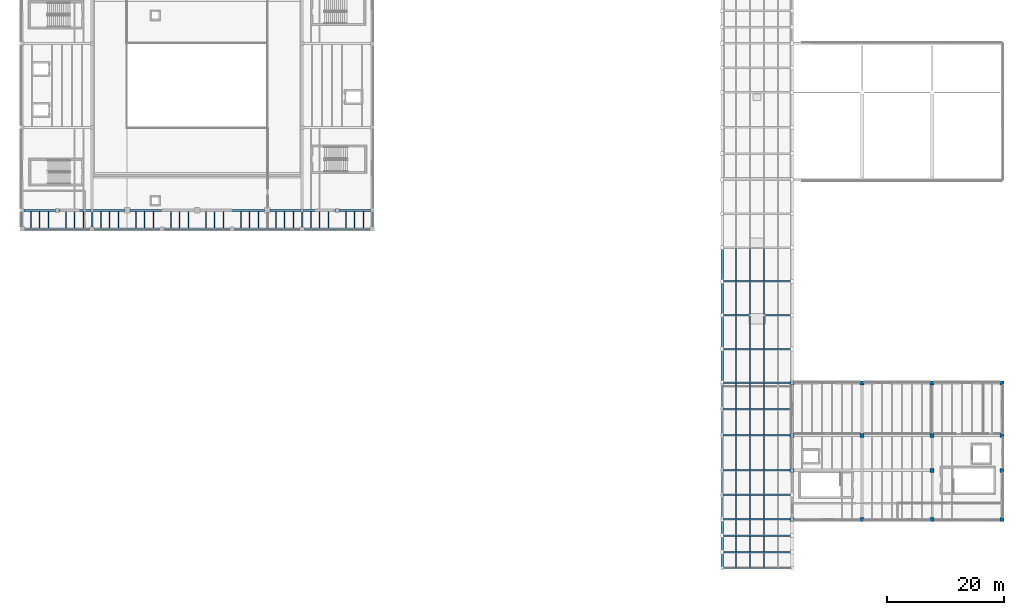
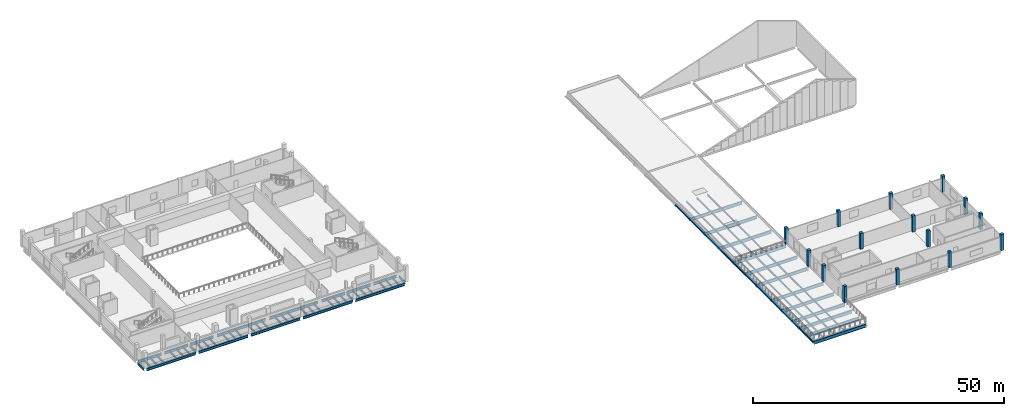
# One storey, part 2 of 19: 107 beams, 15 columns.
"""IFC4 building model written with IfcOpenShell, lengths in metres."""

from ifc_helpers import new_model, si_unit, direction, frame, origin, origin_2d, place, context, subcontext, project, spatial, rectangle, i_section, extrude, material, material_profile, profile_set, type_object, element, save


model = new_model("IFC4")

# Units and contexts
model_context = context("Model", 3, precision=1e-05, world=origin(), true_north=direction((0.0, 1.0)))
body_context = subcontext(model_context, "Body", "Model", "MODEL_VIEW")
ifc_project = project(units=[si_unit("LENGTHUNIT", "METRE"), si_unit("AREAUNIT", "SQUARE_METRE"), si_unit("VOLUMEUNIT", "CUBIC_METRE"), si_unit("PLANEANGLEUNIT", "RADIAN"), si_unit("MASSUNIT", "GRAM", prefix="KILO")], contexts=[model_context])

# Site, building, storey
site_placement = place(None, origin())
site = spatial("IfcSite", under=ifc_project, at=site_placement, CompositionType="ELEMENT")
building_placement = place(site_placement, origin())
building = spatial("IfcBuilding", under=site, at=building_placement, Name="Kelmvaro Bay Concert Hall", CompositionType="ELEMENT")
storey_placement = place(building_placement, frame((0.0, 0.0, 18.300048828125)))
storey = spatial("IfcBuildingStorey", under=building, at=storey_placement, Name="L04", CompositionType="ELEMENT", Elevation=18.300048828125)

# Columns
ifc_material_1 = material(Name="Concrete C40/50", Category="concrete")
ifc_material_profile_1 = material_profile(ifc_material_1, rectangle(XDim=0.64990234375, YDim=0.64990234375, at=origin_2d()), Name="RC-COL-650X650")
ifc_profile_set_1 = profile_set([ifc_material_profile_1], Name="Concrete C40/50")
column_type = type_object("IfcColumnType", Name="Upper Column RC650x650", PredefinedType="COLUMN", material=ifc_profile_set_1)
for number, where, z_axis, x_axis, name in (
    (1, (132.0, 15.60009765625, 0.0), (0.0, 0.0, 1.0), (1.0, 0.0, 0.0), "L04 Column V4W-132-156"),
    (2, (132.0, 24.0, 0.0), (0.0, 0.0, 1.0), (1.0, 0.0, 0.0), "L04 Column V4W-132-240"),
    (3, (132.0, 30.0, 0.0), (0.0, 0.0, 1.0), (1.0, 0.0, 0.0), "L04 Column V4W-132-300"),
    (4, (132.0, 39.0, 0.0), (0.0, 0.0, 1.0), (1.0, 0.0, 0.0), "L04 Column V4W-132-390"),
    (5, (144.0, 15.60009765625, 0.0), (0.0, 0.0, 1.0), (1.0, 0.0, 0.0), "L04 Column V4P-144-156"),
    (6, (144.0, 30.0, 0.0), (0.0, 0.0, 1.0), (1.0, 0.0, 0.0), "L04 Column V4P-144-300"),
    (7, (144.0, 39.0, 0.0), (0.0, 0.0, 1.0), (1.0, 0.0, 0.0), "L04 Column V4P-144-390"),
    (8, (156.0, 15.60009765625, 0.0), (0.0, 0.0, 1.0), (1.0, 0.0, 0.0), "L04 Column V4P-156-156"),
    (9, (156.0, 24.0, 0.0), (0.0, 0.0, 1.0), (1.0, 0.0, 0.0), "L04 Column V4P-156-240"),
    (10, (156.0, 30.0, 0.0), (0.0, 0.0, 1.0), (1.0, 0.0, 0.0), "L04 Column V4P-156-300"),
    (11, (156.0, 39.0, 0.0), (0.0, 0.0, 1.0), (1.0, 0.0, 0.0), "L04 Column V4P-156-390"),
    (12, (168.0, 15.60009765625, 0.0), (0.0, 0.0, 1.0), (1.0, 0.0, 0.0), "L04 Column V4P-168-156"),
    (13, (168.0, 24.0, 0.0), (0.0, 0.0, 1.0), (1.0, 0.0, 0.0), "L04 Column V4P-168-240"),
    (14, (168.0, 30.0, 0.0), (0.0, 0.0, 1.0), (1.0, 0.0, 0.0), "L04 Column V4P-168-300"),
    (15, (168.0, 39.0, 0.0), (0.0, 0.0, 1.0), (1.0, 0.0, 0.0), "L04 Column V4P-168-390"),
):
    element("IfcColumn", number, at=place(storey_placement, frame(where, z_axis=z_axis, x_axis=x_axis)), inside=storey, type_object=column_type, Name=name, PredefinedType="COLUMN", context=body_context, shape_type="SweptSolid", body=[
        extrude(rectangle(XDim=0.64990234375, YDim=0.64990234375, at=origin_2d()), origin(), (0.0, 0.0, 1.0), 3.89990234375),
    ])

# Beams
ifc_material_2 = material(Name="Steel ASTM A992 Grade 50", Category="steel")
ifc_material_profile_2 = material_profile(ifc_material_2, i_section(OverallWidth=0.40087890625, OverallDepth=0.39404296875, WebThickness=0.022705078125, FlangeThickness=0.03662109375, at=origin_2d()), Name="W14X193")
ifc_profile_set_2 = profile_set([ifc_material_profile_2], Name="Steel ASTM A992 Grade 50")
beam_type_1 = type_object("IfcBeamType", Name="Bridge Cantilever Chord W14x193", PredefinedType="BEAM", material=ifc_profile_set_2)
for number, where, z_axis, x_axis, name in (
    (16, (120.0, 7.199951171875, -0.47705078125), (0.0, 1.0, 0.0), (-1.0, 0.0, 0.0), "Bridge Truss W Top Chord 01"),
    (17, (120.0, 10.0, -0.47705078125), (0.0, 1.0, 0.0), (-1.0, 0.0, 0.0), "Bridge Truss W Top Chord 02"),
    (18, (120.0, 12.800048828125, -0.47705078125), (0.0, 1.0, 0.0), (-1.0, 0.0, 0.0), "Bridge Truss W Top Chord 03"),
):
    element("IfcBeam", number, at=place(storey_placement, frame(where, z_axis=z_axis, x_axis=x_axis)), inside=storey, type_object=beam_type_1, Name=name, PredefinedType="BEAM", context=body_context, shape_type="SweptSolid", body=[
        extrude(i_section(OverallWidth=0.40087890625, OverallDepth=0.39404296875, WebThickness=0.022705078125, FlangeThickness=0.03662109375, at=origin_2d()), origin(), (0.0, 0.0, 1.0), 2.800048828125),
    ])
ifc_material_3 = material(Name="Steel ASTM A992 Grade 50", Category="steel")
ifc_material_profile_3 = material_profile(ifc_material_3, i_section(OverallWidth=0.177978515625, OverallDepth=0.406005859375, WebThickness=0.0078125, FlangeThickness=0.0126953125, at=origin_2d()), Name="W16X40")
ifc_profile_set_3 = profile_set([ifc_material_profile_3], Name="Steel ASTM A992 Grade 50")
beam_type_2 = type_object("IfcBeamType", Name="Bridge Deck Floor Joist W16x40", PredefinedType="JOIST", material=ifc_profile_set_3)
for number, where, z_axis, x_axis, name in (
    (19, (122.39990234375, 7.33349609375, -0.483154296875), (0.0, 1.0, 0.0), (-1.0, 0.0, 0.0), "Bridge Deck Joist L04-01"),
    (20, (124.800048828125, 7.33349609375, -0.483154296875), (0.0, 1.0, 0.0), (-1.0, 0.0, 0.0), "Bridge Deck Joist L04-01"),
    (21, (127.199951171875, 7.33349609375, -0.483154296875), (0.0, 1.0, 0.0), (-1.0, 0.0, 0.0), "Bridge Deck Joist L04-01"),
    (22, (122.39990234375, 10.133544921875, -0.483154296875), (0.0, 1.0, 0.0), (-1.0, 0.0, 0.0), "Bridge Deck Joist L04-02"),
    (23, (124.800048828125, 10.133544921875, -0.483154296875), (0.0, 1.0, 0.0), (-1.0, 0.0, 0.0), "Bridge Deck Joist L04-02"),
    (24, (127.199951171875, 10.133544921875, -0.483154296875), (0.0, 1.0, 0.0), (-1.0, 0.0, 0.0), "Bridge Deck Joist L04-02"),
    (25, (122.39990234375, 12.93359375, -0.483154296875), (0.0, 1.0, 0.0), (-1.0, 0.0, 0.0), "Bridge Deck Joist L04-03"),
    (26, (124.800048828125, 12.93359375, -0.483154296875), (0.0, 1.0, 0.0), (-1.0, 0.0, 0.0), "Bridge Deck Joist L04-03"),
    (27, (127.199951171875, 12.93359375, -0.483154296875), (0.0, 1.0, 0.0), (-1.0, 0.0, 0.0), "Bridge Deck Joist L04-03"),
):
    element("IfcBeam", number, at=place(storey_placement, frame(where, z_axis=z_axis, x_axis=x_axis)), inside=storey, type_object=beam_type_2, Name=name, PredefinedType="JOIST", context=body_context, shape_type="SweptSolid", body=[
        extrude(i_section(OverallWidth=0.177978515625, OverallDepth=0.406005859375, WebThickness=0.0078125, FlangeThickness=0.0126953125, at=origin_2d()), origin(), (0.0, 0.0, 1.0), 2.532958984375),
    ])
for number, where, z_axis, x_axis, name in (
    (28, (122.39990234375, 15.7333984375, -0.483154296875), (0.0, 1.0, 0.0), (-1.0, 0.0, 0.0), "Bridge Deck Joist L04-04"),
    (29, (124.800048828125, 15.7333984375, -0.483154296875), (0.0, 1.0, 0.0), (-1.0, 0.0, 0.0), "Bridge Deck Joist L04-04"),
    (30, (127.199951171875, 15.7333984375, -0.483154296875), (0.0, 1.0, 0.0), (-1.0, 0.0, 0.0), "Bridge Deck Joist L04-04"),
):
    element("IfcBeam", number, at=place(storey_placement, frame(where, z_axis=z_axis, x_axis=x_axis)), inside=storey, type_object=beam_type_2, Name=name, PredefinedType="JOIST", context=body_context, shape_type="SweptSolid", body=[
        extrude(i_section(OverallWidth=0.177978515625, OverallDepth=0.406005859375, WebThickness=0.0078125, FlangeThickness=0.0126953125, at=origin_2d()), origin(), (0.0, 0.0, 1.0), 3.93310546875),
    ])
for number, where, z_axis, x_axis, name in (
    (31, (122.39990234375, 19.93359375, -0.483154296875), (0.0, 1.0, 0.0), (-1.0, 0.0, 0.0), "Bridge Deck Joist L04-05"),
    (32, (124.800048828125, 19.93359375, -0.483154296875), (0.0, 1.0, 0.0), (-1.0, 0.0, 0.0), "Bridge Deck Joist L04-05"),
    (33, (127.199951171875, 19.93359375, -0.483154296875), (0.0, 1.0, 0.0), (-1.0, 0.0, 0.0), "Bridge Deck Joist L04-05"),
):
    element("IfcBeam", number, at=place(storey_placement, frame(where, z_axis=z_axis, x_axis=x_axis)), inside=storey, type_object=beam_type_2, Name=name, PredefinedType="JOIST", context=body_context, shape_type="SweptSolid", body=[
        extrude(i_section(OverallWidth=0.177978515625, OverallDepth=0.406005859375, WebThickness=0.0078125, FlangeThickness=0.0126953125, at=origin_2d()), origin(), (0.0, 0.0, 1.0), 3.932861328125),
    ])
for number, where, z_axis, x_axis, name in (
    (34, (122.39990234375, 24.133544921875, -0.483154296875), (0.0, 1.0, 0.0), (-1.0, 0.0, 0.0), "Bridge Deck Joist L04-06"),
    (35, (124.800048828125, 24.133544921875, -0.483154296875), (0.0, 1.0, 0.0), (-1.0, 0.0, 0.0), "Bridge Deck Joist L04-06"),
    (36, (127.199951171875, 24.133544921875, -0.483154296875), (0.0, 1.0, 0.0), (-1.0, 0.0, 0.0), "Bridge Deck Joist L04-06"),
):
    element("IfcBeam", number, at=place(storey_placement, frame(where, z_axis=z_axis, x_axis=x_axis)), inside=storey, type_object=beam_type_2, Name=name, PredefinedType="JOIST", context=body_context, shape_type="SweptSolid", body=[
        extrude(i_section(OverallWidth=0.177978515625, OverallDepth=0.406005859375, WebThickness=0.0078125, FlangeThickness=0.0126953125, at=origin_2d()), origin(), (0.0, 0.0, 1.0), 5.73291015625),
    ])
for number, where, z_axis, x_axis, name in (
    (37, (122.39990234375, 30.133544921875, -0.483154296875), (0.0, 1.0, 0.0), (-1.0, 0.0, 0.0), "Bridge Deck Joist L04-07"),
    (38, (124.800048828125, 30.133544921875, -0.483154296875), (0.0, 1.0, 0.0), (-1.0, 0.0, 0.0), "Bridge Deck Joist L04-07"),
    (39, (127.199951171875, 30.133544921875, -0.483154296875), (0.0, 1.0, 0.0), (-1.0, 0.0, 0.0), "Bridge Deck Joist L04-07"),
    (40, (122.39990234375, 34.633544921875, -0.483154296875), (0.0, 1.0, 0.0), (-1.0, 0.0, 0.0), "Bridge Deck Joist L04-08"),
    (41, (124.800048828125, 34.633544921875, -0.483154296875), (0.0, 1.0, 0.0), (-1.0, 0.0, 0.0), "Bridge Deck Joist L04-08"),
    (42, (127.199951171875, 34.633544921875, -0.483154296875), (0.0, 1.0, 0.0), (-1.0, 0.0, 0.0), "Bridge Deck Joist L04-08"),
):
    element("IfcBeam", number, at=place(storey_placement, frame(where, z_axis=z_axis, x_axis=x_axis)), inside=storey, type_object=beam_type_2, Name=name, PredefinedType="JOIST", context=body_context, shape_type="SweptSolid", body=[
        extrude(i_section(OverallWidth=0.177978515625, OverallDepth=0.406005859375, WebThickness=0.0078125, FlangeThickness=0.0126953125, at=origin_2d()), origin(), (0.0, 0.0, 1.0), 4.23291015625),
    ])
for number, where, z_axis, x_axis, name in (
    (43, (122.39990234375, 39.133544921875, -0.483154296875), (0.0, 1.0, 0.0), (-1.0, 0.0, 0.0), "Bridge Deck Joist L04-09"),
    (44, (124.800048828125, 39.133544921875, -0.483154296875), (0.0, 1.0, 0.0), (-1.0, 0.0, 0.0), "Bridge Deck Joist L04-09"),
    (45, (127.199951171875, 39.133544921875, -0.483154296875), (0.0, 1.0, 0.0), (-1.0, 0.0, 0.0), "Bridge Deck Joist L04-09"),
    (46, (122.39990234375, 44.93359375, -0.483154296875), (0.0, 1.0, 0.0), (-1.0, 0.0, 0.0), "Bridge Deck Joist L04-10"),
    (47, (124.800048828125, 44.93359375, -0.483154296875), (0.0, 1.0, 0.0), (-1.0, 0.0, 0.0), "Bridge Deck Joist L04-10"),
    (48, (127.199951171875, 44.93359375, -0.483154296875), (0.0, 1.0, 0.0), (-1.0, 0.0, 0.0), "Bridge Deck Joist L04-10"),
):
    element("IfcBeam", number, at=place(storey_placement, frame(where, z_axis=z_axis, x_axis=x_axis)), inside=storey, type_object=beam_type_2, Name=name, PredefinedType="JOIST", context=body_context, shape_type="SweptSolid", body=[
        extrude(i_section(OverallWidth=0.177978515625, OverallDepth=0.406005859375, WebThickness=0.0078125, FlangeThickness=0.0126953125, at=origin_2d()), origin(), (0.0, 0.0, 1.0), 5.532958984375),
    ])
for number, where, z_axis, x_axis, name in (
    (49, (122.39990234375, 50.7333984375, -0.483154296875), (0.0, 1.0, 0.0), (-1.0, 0.0, 0.0), "Bridge Deck Joist L04-11"),
    (50, (124.800048828125, 50.7333984375, -0.483154296875), (0.0, 1.0, 0.0), (-1.0, 0.0, 0.0), "Bridge Deck Joist L04-11"),
    (51, (127.199951171875, 50.7333984375, -0.483154296875), (0.0, 1.0, 0.0), (-1.0, 0.0, 0.0), "Bridge Deck Joist L04-11"),
):
    element("IfcBeam", number, at=place(storey_placement, frame(where, z_axis=z_axis, x_axis=x_axis)), inside=storey, type_object=beam_type_2, Name=name, PredefinedType="JOIST", context=body_context, shape_type="SweptSolid", body=[
        extrude(i_section(OverallWidth=0.177978515625, OverallDepth=0.406005859375, WebThickness=0.0078125, FlangeThickness=0.0126953125, at=origin_2d()), origin(), (0.0, 0.0, 1.0), 5.533203125),
    ])
for number, where, z_axis, x_axis, name in (
    (52, (122.39990234375, 56.533447265625, -0.483154296875), (0.0, 1.0, 0.0), (-1.0, 0.0, 0.0), "Bridge Deck Joist L04-12"),
    (53, (124.800048828125, 56.533447265625, -0.483154296875), (0.0, 1.0, 0.0), (-1.0, 0.0, 0.0), "Bridge Deck Joist L04-12"),
    (54, (127.199951171875, 56.533447265625, -0.483154296875), (0.0, 1.0, 0.0), (-1.0, 0.0, 0.0), "Bridge Deck Joist L04-12"),
):
    element("IfcBeam", number, at=place(storey_placement, frame(where, z_axis=z_axis, x_axis=x_axis)), inside=storey, type_object=beam_type_2, Name=name, PredefinedType="JOIST", context=body_context, shape_type="SweptSolid", body=[
        extrude(i_section(OverallWidth=0.177978515625, OverallDepth=0.406005859375, WebThickness=0.0078125, FlangeThickness=0.0126953125, at=origin_2d()), origin(), (0.0, 0.0, 1.0), 5.532958984375),
    ])
ifc_material_4 = material(Name="Steel ASTM A992 Grade 50", Category="steel")
ifc_material_profile_4 = material_profile(ifc_material_4, i_section(OverallWidth=0.26708984375, OverallDepth=0.761962890625, WebThickness=0.014404296875, FlangeThickness=0.021484375, at=origin_2d()), Name="W30X116")
ifc_profile_set_4 = profile_set([ifc_material_profile_4], Name="Steel ASTM A992 Grade 50")
beam_type_3 = type_object("IfcBeamType", Name="Bridge Transverse Floor Girder W30x116", PredefinedType="BEAM", material=ifc_profile_set_4)
for number, where, z_axis, x_axis, name in (
    (55, (120.0400390625, 7.199951171875, -0.6611328125), (1.0, 0.0, 0.0), (0.0, 1.0, 0.0), "Bridge Transverse Floor Girder L04-01"),
    (56, (120.0400390625, 10.0, -0.6611328125), (1.0, 0.0, 0.0), (0.0, 1.0, 0.0), "Bridge Transverse Floor Girder L04-02"),
    (57, (120.0400390625, 12.800048828125, -0.6611328125), (1.0, 0.0, 0.0), (0.0, 1.0, 0.0), "Bridge Transverse Floor Girder L04-03"),
    (58, (120.0400390625, 15.60009765625, -0.6611328125), (1.0, 0.0, 0.0), (0.0, 1.0, 0.0), "Bridge Transverse Floor Girder L04-04"),
    (59, (120.0400390625, 19.800048828125, -0.6611328125), (1.0, 0.0, 0.0), (0.0, 1.0, 0.0), "Bridge Transverse Floor Girder L04-05"),
    (60, (120.0400390625, 24.0, -0.6611328125), (1.0, 0.0, 0.0), (0.0, 1.0, 0.0), "Bridge Transverse Floor Girder L04-06"),
    (61, (120.0400390625, 30.0, -0.6611328125), (1.0, 0.0, 0.0), (0.0, 1.0, 0.0), "Bridge Transverse Floor Girder L04-07"),
    (62, (120.0400390625, 34.5, -0.6611328125), (1.0, 0.0, 0.0), (0.0, 1.0, 0.0), "Bridge Transverse Floor Girder L04-08"),
    (63, (120.0400390625, 39.0, -0.6611328125), (1.0, 0.0, 0.0), (0.0, 1.0, 0.0), "Bridge Transverse Floor Girder L04-09"),
    (64, (120.0400390625, 44.800048828125, -0.6611328125), (1.0, 0.0, 0.0), (0.0, 1.0, 0.0), "Bridge Transverse Floor Girder L04-10"),
    (65, (120.0400390625, 50.60009765625, -0.6611328125), (1.0, 0.0, 0.0), (0.0, 1.0, 0.0), "Bridge Transverse Floor Girder L04-11"),
    (66, (120.0400390625, 56.39990234375, -0.6611328125), (1.0, 0.0, 0.0), (0.0, 1.0, 0.0), "Bridge Transverse Floor Girder L04-12"),
):
    element("IfcBeam", number, at=place(storey_placement, frame(where, z_axis=z_axis, x_axis=x_axis)), inside=storey, type_object=beam_type_3, Name=name, PredefinedType="BEAM", context=body_context, shape_type="SweptSolid", body=[
        extrude(i_section(OverallWidth=0.26708984375, OverallDepth=0.761962890625, WebThickness=0.014404296875, FlangeThickness=0.021484375, at=origin_2d()), origin(), (0.0, 0.0, 1.0), 11.919921875),
    ])
ifc_material_5 = material(Name="Steel ASTM A992 Grade 50", Category="steel")
ifc_material_profile_5 = material_profile(ifc_material_5, i_section(OverallWidth=0.40087890625, OverallDepth=0.39892578125, WebThickness=0.02490234375, FlangeThickness=0.03955078125, at=origin_2d()), Name="W14X211")
ifc_profile_set_5 = profile_set([ifc_material_profile_5], Name="Steel ASTM A992 Grade 50")
beam_type_4 = type_object("IfcBeamType", Name="Bridge Truss Top Chord W14x211", PredefinedType="BEAM", material=ifc_profile_set_5)
for number, where, z_axis, x_axis, name in (
    (67, (120.0, 15.60009765625, -0.4794921875), (0.0, 1.0, 0.0), (-1.0, 0.0, 0.0), "Bridge Truss W Top Chord 04"),
    (68, (120.0, 19.800048828125, -0.4794921875), (0.0, 1.0, 0.0), (-1.0, 0.0, 0.0), "Bridge Truss W Top Chord 05"),
):
    element("IfcBeam", number, at=place(storey_placement, frame(where, z_axis=z_axis, x_axis=x_axis)), inside=storey, type_object=beam_type_4, Name=name, PredefinedType="BEAM", context=body_context, shape_type="SweptSolid", body=[
        extrude(i_section(OverallWidth=0.40087890625, OverallDepth=0.39892578125, WebThickness=0.02490234375, FlangeThickness=0.03955078125, at=origin_2d()), origin(), (0.0, 0.0, 1.0), 4.199951171875),
    ])
beam_1_placement = place(storey_placement, frame((120.0, 24.0, -0.4794921875), z_axis=(0.0, 1.0, 0.0), x_axis=(-1.0, 0.0, 0.0)))
element("IfcBeam", 69, at=beam_1_placement, inside=storey, type_object=beam_type_4, Name="Bridge Truss W Top Chord 06", PredefinedType="BEAM", context=body_context, shape_type="SweptSolid", body=[
    extrude(i_section(OverallWidth=0.40087890625, OverallDepth=0.39892578125, WebThickness=0.02490234375, FlangeThickness=0.03955078125, at=origin_2d()), origin(), (0.0, 0.0, 1.0), 6.0),
])
for number, where, z_axis, x_axis, name in (
    (70, (120.0, 30.0, -0.4794921875), (0.0, 1.0, 0.0), (-1.0, 0.0, 0.0), "Bridge Truss W Top Chord 07"),
    (71, (120.0, 34.5, -0.4794921875), (0.0, 1.0, 0.0), (-1.0, 0.0, 0.0), "Bridge Truss W Top Chord 08"),
):
    element("IfcBeam", number, at=place(storey_placement, frame(where, z_axis=z_axis, x_axis=x_axis)), inside=storey, type_object=beam_type_4, Name=name, PredefinedType="BEAM", context=body_context, shape_type="SweptSolid", body=[
        extrude(i_section(OverallWidth=0.40087890625, OverallDepth=0.39892578125, WebThickness=0.02490234375, FlangeThickness=0.03955078125, at=origin_2d()), origin(), (0.0, 0.0, 1.0), 4.5),
    ])
for number, where, z_axis, x_axis, name in (
    (72, (120.0, 39.0, -0.4794921875), (0.0, 1.0, 0.0), (-1.0, 0.0, 0.0), "Bridge Truss W Top Chord 09"),
    (73, (120.0, 44.800048828125, -0.4794921875), (0.0, 1.0, 0.0), (-1.0, 0.0, 0.0), "Bridge Truss W Top Chord 10"),
):
    element("IfcBeam", number, at=place(storey_placement, frame(where, z_axis=z_axis, x_axis=x_axis)), inside=storey, type_object=beam_type_4, Name=name, PredefinedType="BEAM", context=body_context, shape_type="SweptSolid", body=[
        extrude(i_section(OverallWidth=0.40087890625, OverallDepth=0.39892578125, WebThickness=0.02490234375, FlangeThickness=0.03955078125, at=origin_2d()), origin(), (0.0, 0.0, 1.0), 5.800048828125),
    ])
beam_2_placement = place(storey_placement, frame((120.0, 50.60009765625, -0.4794921875), z_axis=(0.0, 1.0, 0.0), x_axis=(-1.0, 0.0, 0.0)))
element("IfcBeam", 74, at=beam_2_placement, inside=storey, type_object=beam_type_4, Name="Bridge Truss W Top Chord 11", PredefinedType="BEAM", context=body_context, shape_type="SweptSolid", body=[
    extrude(i_section(OverallWidth=0.40087890625, OverallDepth=0.39892578125, WebThickness=0.02490234375, FlangeThickness=0.03955078125, at=origin_2d()), origin(), (0.0, 0.0, 1.0), 5.7998046875),
])
beam_3_placement = place(storey_placement, frame((120.0, 56.39990234375, -0.4794921875), z_axis=(0.0, 1.0, 0.0), x_axis=(-1.0, 0.0, 0.0)))
element("IfcBeam", 75, at=beam_3_placement, inside=storey, type_object=beam_type_4, Name="Bridge Truss W Top Chord 12", PredefinedType="BEAM", context=body_context, shape_type="SweptSolid", body=[
    extrude(i_section(OverallWidth=0.40087890625, OverallDepth=0.39892578125, WebThickness=0.02490234375, FlangeThickness=0.03955078125, at=origin_2d()), origin(), (0.0, 0.0, 1.0), 5.800048828125),
])
ifc_material_6 = material(Name="Steel ASTM A992 Grade 50", Category="steel")
ifc_material_profile_6 = material_profile(ifc_material_6, i_section(OverallWidth=0.323974609375, OverallDepth=0.611083984375, WebThickness=0.0126953125, FlangeThickness=0.01904296875, at=origin_2d()), Name="W24X104")
ifc_profile_set_6 = profile_set([ifc_material_profile_6], Name="Steel ASTM A992 Grade 50")
beam_type_5 = type_object("IfcBeamType", Name="Foyer Frame Girder W24x104", PredefinedType="BEAM", material=ifc_profile_set_6)
beam_4_placement = place(storey_placement, frame((0.375, 65.39990234375, -0.60546875), z_axis=(1.0, 0.0, 0.0), x_axis=(0.0, 1.0, 0.0)))
element("IfcBeam", 76, at=beam_4_placement, inside=storey, type_object=beam_type_5, Name="L04 Girder BM-L04-EW-1714", PredefinedType="BEAM", context=body_context, shape_type="SweptSolid", body=[
    extrude(i_section(OverallWidth=0.323974609375, OverallDepth=0.611083984375, WebThickness=0.0126953125, FlangeThickness=0.01904296875, at=origin_2d()), origin(), (0.0, 0.0, 1.0), 11.27490234375),
])
for number, where, z_axis, x_axis, name in (
    (77, (12.35009765625, 65.39990234375, -0.60546875), (1.0, 0.0, 0.0), (0.0, 1.0, 0.0), "L04 Girder BM-L04-EW-1715"),
    (78, (24.35009765625, 65.39990234375, -0.60546875), (1.0, 0.0, 0.0), (0.0, 1.0, 0.0), "L04 Girder BM-L04-EW-1716"),
    (79, (36.35009765625, 65.39990234375, -0.60546875), (1.0, 0.0, 0.0), (0.0, 1.0, 0.0), "L04 Girder BM-L04-EW-1717"),
):
    element("IfcBeam", number, at=place(storey_placement, frame(where, z_axis=z_axis, x_axis=x_axis)), inside=storey, type_object=beam_type_5, Name=name, PredefinedType="BEAM", context=body_context, shape_type="SweptSolid", body=[
        extrude(i_section(OverallWidth=0.323974609375, OverallDepth=0.611083984375, WebThickness=0.0126953125, FlangeThickness=0.01904296875, at=origin_2d()), origin(), (0.0, 0.0, 1.0), 11.2998046875),
    ])
beam_5_placement = place(storey_placement, frame((48.35009765625, 65.39990234375, -0.60546875), z_axis=(1.0, 0.0, 0.0), x_axis=(0.0, 1.0, 0.0)))
element("IfcBeam", 80, at=beam_5_placement, inside=storey, type_object=beam_type_5, Name="L04 Girder BM-L04-EW-1718", PredefinedType="BEAM", context=body_context, shape_type="SweptSolid", body=[
    extrude(i_section(OverallWidth=0.323974609375, OverallDepth=0.611083984375, WebThickness=0.0126953125, FlangeThickness=0.01904296875, at=origin_2d()), origin(), (0.0, 0.0, 1.0), 11.27490234375),
])
beam_6_placement = place(storey_placement, frame((0.324951171875, 68.580078125, -0.60546875), z_axis=(1.0, 0.0, 0.0), x_axis=(0.0, 1.0, 0.0)))
element("IfcBeam", 81, at=beam_6_placement, inside=storey, type_object=beam_type_5, Name="L04 Girder BM-L04-EW-1719", PredefinedType="BEAM", context=body_context, shape_type="SweptSolid", body=[
    extrude(i_section(OverallWidth=0.323974609375, OverallDepth=0.611083984375, WebThickness=0.0126953125, FlangeThickness=0.01904296875, at=origin_2d()), origin(), (0.0, 0.0, 1.0), 5.35009765625),
])
beam_7_placement = place(storey_placement, frame((6.324951171875, 68.580078125, -0.60546875), z_axis=(1.0, 0.0, 0.0), x_axis=(0.0, 1.0, 0.0)))
element("IfcBeam", 82, at=beam_7_placement, inside=storey, type_object=beam_type_5, Name="L04 Girder BM-L04-EW-1720", PredefinedType="BEAM", context=body_context, shape_type="SweptSolid", body=[
    extrude(i_section(OverallWidth=0.323974609375, OverallDepth=0.611083984375, WebThickness=0.0126953125, FlangeThickness=0.01904296875, at=origin_2d()), origin(), (0.0, 0.0, 1.0), 5.47509765625),
])
beam_8_placement = place(storey_placement, frame((12.199951171875, 68.580078125, -0.60546875), z_axis=(1.0, 0.0, 0.0), x_axis=(0.0, 1.0, 0.0)))
element("IfcBeam", 83, at=beam_8_placement, inside=storey, type_object=beam_type_5, Name="L04 Girder BM-L04-EW-1721", PredefinedType="BEAM", context=body_context, shape_type="SweptSolid", body=[
    extrude(i_section(OverallWidth=0.323974609375, OverallDepth=0.611083984375, WebThickness=0.0126953125, FlangeThickness=0.01904296875, at=origin_2d()), origin(), (0.0, 0.0, 1.0), 5.35009765625),
])
for number, where, z_axis, x_axis, name in (
    (84, (18.449951171875, 68.580078125, -0.60546875), (1.0, 0.0, 0.0), (0.0, 1.0, 0.0), "L04 Girder BM-L04-EW-1722"),
    (85, (30.449951171875, 68.580078125, -0.60546875), (1.0, 0.0, 0.0), (0.0, 1.0, 0.0), "L04 Girder BM-L04-EW-1723"),
):
    element("IfcBeam", number, at=place(storey_placement, frame(where, z_axis=z_axis, x_axis=x_axis)), inside=storey, type_object=beam_type_5, Name=name, PredefinedType="BEAM", context=body_context, shape_type="SweptSolid", body=[
        extrude(i_section(OverallWidth=0.323974609375, OverallDepth=0.611083984375, WebThickness=0.0126953125, FlangeThickness=0.01904296875, at=origin_2d()), origin(), (0.0, 0.0, 1.0), 11.10009765625),
    ])
beam_9_placement = place(storey_placement, frame((42.449951171875, 68.580078125, -0.60546875), z_axis=(1.0, 0.0, 0.0), x_axis=(0.0, 1.0, 0.0)))
element("IfcBeam", 86, at=beam_9_placement, inside=storey, type_object=beam_type_5, Name="L04 Girder BM-L04-EW-1724", PredefinedType="BEAM", context=body_context, shape_type="SweptSolid", body=[
    extrude(i_section(OverallWidth=0.323974609375, OverallDepth=0.611083984375, WebThickness=0.0126953125, FlangeThickness=0.01904296875, at=origin_2d()), origin(), (0.0, 0.0, 1.0), 5.375),
])
beam_10_placement = place(storey_placement, frame((48.175048828125, 68.580078125, -0.60546875), z_axis=(1.0, 0.0, 0.0), x_axis=(0.0, 1.0, 0.0)))
element("IfcBeam", 87, at=beam_10_placement, inside=storey, type_object=beam_type_5, Name="L04 Girder BM-L04-EW-1725", PredefinedType="BEAM", context=body_context, shape_type="SweptSolid", body=[
    extrude(i_section(OverallWidth=0.323974609375, OverallDepth=0.611083984375, WebThickness=0.0126953125, FlangeThickness=0.01904296875, at=origin_2d()), origin(), (0.0, 0.0, 1.0), 5.5),
])
beam_11_placement = place(storey_placement, frame((54.324951171875, 68.580078125, -0.60546875), z_axis=(1.0, 0.0, 0.0), x_axis=(0.0, 1.0, 0.0)))
element("IfcBeam", 88, at=beam_11_placement, inside=storey, type_object=beam_type_5, Name="L04 Girder BM-L04-EW-1726", PredefinedType="BEAM", context=body_context, shape_type="SweptSolid", body=[
    extrude(i_section(OverallWidth=0.323974609375, OverallDepth=0.611083984375, WebThickness=0.0126953125, FlangeThickness=0.01904296875, at=origin_2d()), origin(), (0.0, 0.0, 1.0), 5.35009765625),
])
ifc_material_7 = material(Name="Steel ASTM A992 Grade 50", Category="steel")
ifc_material_profile_7 = material_profile(ifc_material_7, i_section(OverallWidth=0.19091796875, OverallDepth=0.45703125, WebThickness=0.009033203125, FlangeThickness=0.014404296875, at=origin_2d()), Name="W18X50")
ifc_profile_set_7 = profile_set([ifc_material_profile_7], Name="Steel ASTM A992 Grade 50")
beam_type_6 = type_object("IfcBeamType", Name="Standard Composite Floor Joist W18x50", PredefinedType="JOIST", material=ifc_profile_set_7)
for number, where, z_axis, x_axis, name in (
    (89, (1.5, 65.56201171875, -0.528564453125), (0.0, 1.0, 0.0), (-1.0, 0.0, 0.0), "L04 Floor Joist JST-L04-1827"),
    (90, (3.0, 65.56201171875, -0.528564453125), (0.0, 1.0, 0.0), (-1.0, 0.0, 0.0), "L04 Floor Joist JST-L04-1828"),
    (91, (4.5, 65.56201171875, -0.528564453125), (0.0, 1.0, 0.0), (-1.0, 0.0, 0.0), "L04 Floor Joist JST-L04-1829"),
    (92, (7.5, 65.56201171875, -0.528564453125), (0.0, 1.0, 0.0), (-1.0, 0.0, 0.0), "L04 Floor Joist JST-L04-1830"),
    (93, (9.0, 65.56201171875, -0.528564453125), (0.0, 1.0, 0.0), (-1.0, 0.0, 0.0), "L04 Floor Joist JST-L04-1831"),
    (94, (10.5, 65.56201171875, -0.528564453125), (0.0, 1.0, 0.0), (-1.0, 0.0, 0.0), "L04 Floor Joist JST-L04-1832"),
    (95, (13.5, 65.56201171875, -0.528564453125), (0.0, 1.0, 0.0), (-1.0, 0.0, 0.0), "L04 Floor Joist JST-L04-1833"),
    (96, (15.0, 65.56201171875, -0.528564453125), (0.0, 1.0, 0.0), (-1.0, 0.0, 0.0), "L04 Floor Joist JST-L04-1834"),
    (97, (16.5, 65.56201171875, -0.528564453125), (0.0, 1.0, 0.0), (-1.0, 0.0, 0.0), "L04 Floor Joist JST-L04-1835"),
    (98, (19.5, 65.56201171875, -0.528564453125), (0.0, 1.0, 0.0), (-1.0, 0.0, 0.0), "L04 Floor Joist JST-L04-1836"),
    (99, (21.0, 65.56201171875, -0.528564453125), (0.0, 1.0, 0.0), (-1.0, 0.0, 0.0), "L04 Floor Joist JST-L04-1837"),
    (100, (22.5, 65.56201171875, -0.528564453125), (0.0, 1.0, 0.0), (-1.0, 0.0, 0.0), "L04 Floor Joist JST-L04-1838"),
    (101, (25.5, 65.56201171875, -0.528564453125), (0.0, 1.0, 0.0), (-1.0, 0.0, 0.0), "L04 Floor Joist JST-L04-1839"),
    (102, (27.0, 65.56201171875, -0.528564453125), (0.0, 1.0, 0.0), (-1.0, 0.0, 0.0), "L04 Floor Joist JST-L04-1840"),
    (103, (28.5, 65.56201171875, -0.528564453125), (0.0, 1.0, 0.0), (-1.0, 0.0, 0.0), "L04 Floor Joist JST-L04-1841"),
    (104, (31.5, 65.56201171875, -0.528564453125), (0.0, 1.0, 0.0), (-1.0, 0.0, 0.0), "L04 Floor Joist JST-L04-1842"),
    (105, (33.0, 65.56201171875, -0.528564453125), (0.0, 1.0, 0.0), (-1.0, 0.0, 0.0), "L04 Floor Joist JST-L04-1843"),
    (106, (34.5, 65.56201171875, -0.528564453125), (0.0, 1.0, 0.0), (-1.0, 0.0, 0.0), "L04 Floor Joist JST-L04-1844"),
    (107, (37.5, 65.56201171875, -0.528564453125), (0.0, 1.0, 0.0), (-1.0, 0.0, 0.0), "L04 Floor Joist JST-L04-1845"),
    (108, (39.0, 65.56201171875, -0.528564453125), (0.0, 1.0, 0.0), (-1.0, 0.0, 0.0), "L04 Floor Joist JST-L04-1846"),
    (109, (40.5, 65.56201171875, -0.528564453125), (0.0, 1.0, 0.0), (-1.0, 0.0, 0.0), "L04 Floor Joist JST-L04-1847"),
    (110, (43.5, 65.56201171875, -0.528564453125), (0.0, 1.0, 0.0), (-1.0, 0.0, 0.0), "L04 Floor Joist JST-L04-1848"),
    (111, (45.0, 65.56201171875, -0.528564453125), (0.0, 1.0, 0.0), (-1.0, 0.0, 0.0), "L04 Floor Joist JST-L04-1849"),
    (112, (46.5, 65.56201171875, -0.528564453125), (0.0, 1.0, 0.0), (-1.0, 0.0, 0.0), "L04 Floor Joist JST-L04-1850"),
):
    element("IfcBeam", number, at=place(storey_placement, frame(where, z_axis=z_axis, x_axis=x_axis)), inside=storey, type_object=beam_type_6, Name=name, PredefinedType="JOIST", context=body_context, shape_type="SweptSolid", body=[
        extrude(i_section(OverallWidth=0.19091796875, OverallDepth=0.45703125, WebThickness=0.009033203125, FlangeThickness=0.014404296875, at=origin_2d()), origin(), (0.0, 0.0, 1.0), 2.85595703125),
    ])
ifc_material_8 = material(Name="Steel ASTM A992 Grade 50", Category="steel")
ifc_material_profile_8 = material_profile(ifc_material_8, i_section(OverallWidth=0.179931640625, OverallDepth=0.4140625, WebThickness=0.009765625, FlangeThickness=0.01611328125, at=origin_2d()), Name="W16X50")
ifc_profile_set_8 = profile_set([ifc_material_profile_8], Name="Steel ASTM A992 Grade 50")
beam_type_7 = type_object("IfcBeamType", Name="Terrace Composite Joist W16x50", PredefinedType="JOIST", material=ifc_profile_set_8)
for number, where, z_axis, x_axis, name in (
    (113, (49.5, 65.56201171875, -0.507080078125), (0.0, 1.0, 0.0), (-1.0, 0.0, 0.0), "L04 Floor Joist JST-L04-1851"),
    (114, (51.0, 65.56201171875, -0.507080078125), (0.0, 1.0, 0.0), (-1.0, 0.0, 0.0), "L04 Floor Joist JST-L04-1852"),
    (115, (52.5, 65.56201171875, -0.507080078125), (0.0, 1.0, 0.0), (-1.0, 0.0, 0.0), "L04 Floor Joist JST-L04-1853"),
    (116, (55.5, 65.56201171875, -0.507080078125), (0.0, 1.0, 0.0), (-1.0, 0.0, 0.0), "L04 Floor Joist JST-L04-1854"),
    (117, (57.0, 65.56201171875, -0.507080078125), (0.0, 1.0, 0.0), (-1.0, 0.0, 0.0), "L04 Floor Joist JST-L04-1855"),
    (118, (58.5, 65.56201171875, -0.507080078125), (0.0, 1.0, 0.0), (-1.0, 0.0, 0.0), "L04 Floor Joist JST-L04-1856"),
):
    element("IfcBeam", number, at=place(storey_placement, frame(where, z_axis=z_axis, x_axis=x_axis)), inside=storey, type_object=beam_type_7, Name=name, PredefinedType="JOIST", context=body_context, shape_type="SweptSolid", body=[
        extrude(i_section(OverallWidth=0.179931640625, OverallDepth=0.4140625, WebThickness=0.009765625, FlangeThickness=0.01611328125, at=origin_2d()), origin(), (0.0, 0.0, 1.0), 2.85595703125),
    ])
ifc_material_9 = material(Name="Steel ASTM A992 Grade 50", Category="steel")
ifc_material_profile_9 = material_profile(ifc_material_9, i_section(OverallWidth=0.22900390625, OverallDepth=0.612060546875, WebThickness=0.011962890625, FlangeThickness=0.01953125, at=origin_2d()), Name="W24X84")
ifc_profile_set_9 = profile_set([ifc_material_profile_9], Name="Steel ASTM A992 Grade 50")
beam_type_8 = type_object("IfcBeamType", Name="Terrace Edge Girder W24x84", PredefinedType="BEAM", material=ifc_profile_set_9)
beam_12_placement = place(storey_placement, frame((0.0, 65.77490234375, -0.60595703125), z_axis=(0.0, 1.0, 0.0), x_axis=(-1.0, 0.0, 0.0)))
element("IfcBeam", 119, at=beam_12_placement, inside=storey, type_object=beam_type_8, Name="L04 Girder BM-L04-NS-1753", PredefinedType="BEAM", context=body_context, shape_type="SweptSolid", body=[
    extrude(i_section(OverallWidth=0.22900390625, OverallDepth=0.612060546875, WebThickness=0.011962890625, FlangeThickness=0.01953125, at=origin_2d()), origin(), (0.0, 0.0, 1.0), 2.47998046875),
])
beam_13_placement = place(storey_placement, frame((12.0, 65.75, -0.60595703125), z_axis=(0.0, 1.0, 0.0), x_axis=(-1.0, 0.0, 0.0)))
element("IfcBeam", 120, at=beam_13_placement, inside=storey, type_object=beam_type_8, Name="L04 Girder BM-L04-NS-1758", PredefinedType="BEAM", context=body_context, shape_type="SweptSolid", body=[
    extrude(i_section(OverallWidth=0.22900390625, OverallDepth=0.612060546875, WebThickness=0.011962890625, FlangeThickness=0.01953125, at=origin_2d()), origin(), (0.0, 0.0, 1.0), 2.554931640625),
])
beam_14_placement = place(storey_placement, frame((48.0, 65.75, -0.60595703125), z_axis=(0.0, 1.0, 0.0), x_axis=(-1.0, 0.0, 0.0)))
element("IfcBeam", 121, at=beam_14_placement, inside=storey, type_object=beam_type_8, Name="L04 Girder BM-L04-NS-1763", PredefinedType="BEAM", context=body_context, shape_type="SweptSolid", body=[
    extrude(i_section(OverallWidth=0.22900390625, OverallDepth=0.612060546875, WebThickness=0.011962890625, FlangeThickness=0.01953125, at=origin_2d()), origin(), (0.0, 0.0, 1.0), 2.580078125),
])
beam_15_placement = place(storey_placement, frame((60.0, 65.77490234375, -0.60595703125), z_axis=(0.0, 1.0, 0.0), x_axis=(-1.0, 0.0, 0.0)))
element("IfcBeam", 122, at=beam_15_placement, inside=storey, type_object=beam_type_8, Name="L04 Girder BM-L04-NS-1768", PredefinedType="BEAM", context=body_context, shape_type="SweptSolid", body=[
    extrude(i_section(OverallWidth=0.22900390625, OverallDepth=0.612060546875, WebThickness=0.011962890625, FlangeThickness=0.01953125, at=origin_2d()), origin(), (0.0, 0.0, 1.0), 2.47998046875),
])

save(model, "model.ifc")
